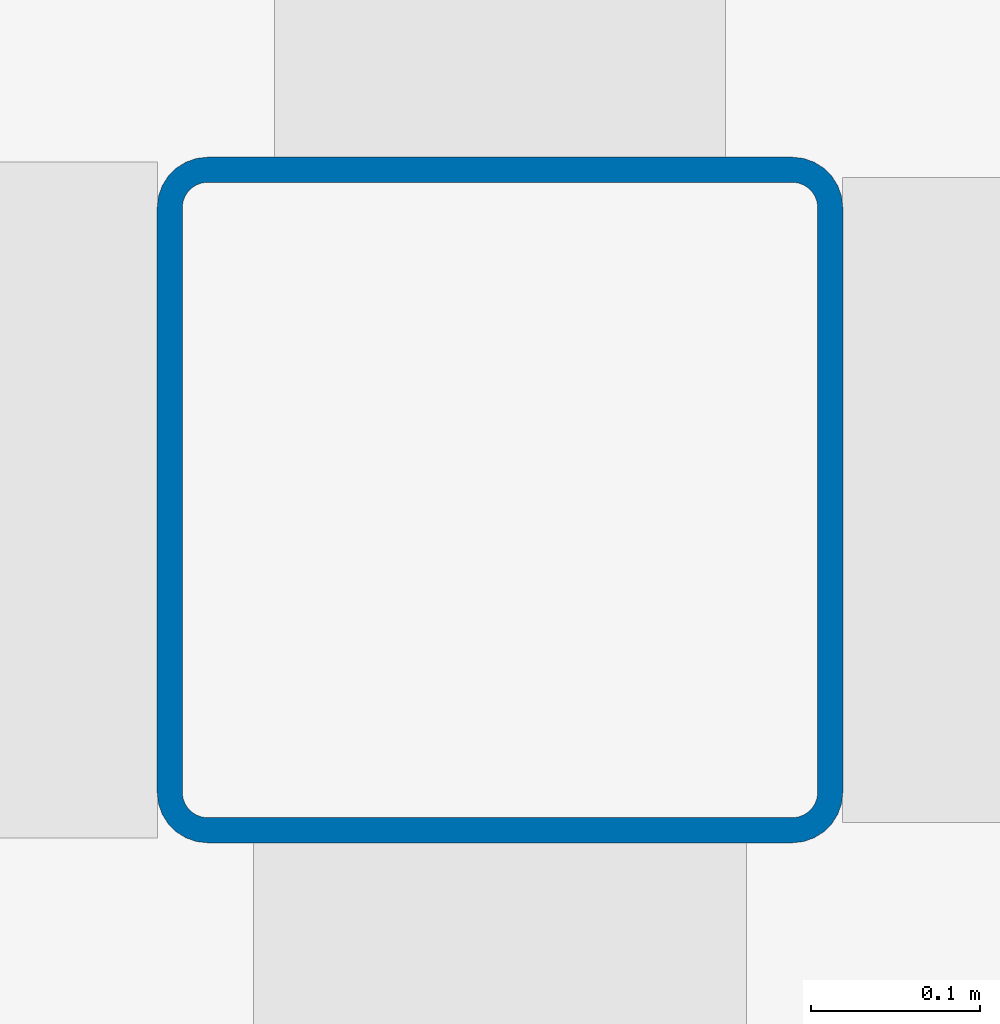
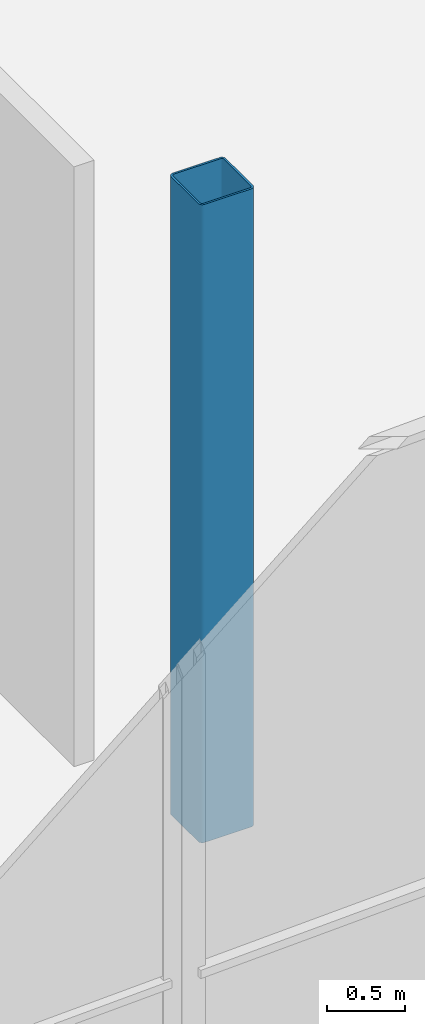
# One storey, part 2 of 88: 1 column.
"""IFC4 building model written with IfcOpenShell, lengths in metres."""

import ifcopenshell
import ifcopenshell.guid

model = None  # the IFC model being written
_history = None  # IfcOwnerHistory: only IFC2X3 demands one
_inside = {}  # id of a spatial element -> (the spatial element, [elements in it])
_under = {}  # id of a project, library or spatial element -> (it, [spatial elements below it])
_declared = {}  # id of a project -> (the project, [libraries it declares])
_typed = {}  # id of a type object -> (the type object, [elements of that type])
_made_of = {}  # id of a material, layer set ... -> (it, [elements and type objects made of it])


def new_model(schema):
    """Start an empty IFC model of exactly this schema.

    Asked for "IFC4X3", IfcOpenShell would pick the latest addendum, in which some entities
    have other attributes; the version numbers below select the first issue.
    IFC2X3 requires an IfcOwnerHistory on every rooted entity: one is made here for all.
    """
    global model, _history
    if schema == "IFC4X3":
        model = ifcopenshell.file(schema_version=(4, 3, 0, 0))
    else:
        model = ifcopenshell.file(schema=schema)
    _inside.clear()
    _under.clear()
    _declared.clear()
    _typed.clear()
    _made_of.clear()
    _history = None
    if model.schema == "IFC2X3":
        org = make("IfcOrganization", Name="unknown")
        user = make(
            "IfcPersonAndOrganization",
            ThePerson=make("IfcPerson", FamilyName="unknown"),
            TheOrganization=org,
        )
        app = make(
            "IfcApplication",
            ApplicationDeveloper=org,
            Version="unknown",
            ApplicationFullName="unknown",
            ApplicationIdentifier="unknown",
        )
        _history = make(
            "IfcOwnerHistory",
            OwningUser=user,
            OwningApplication=app,
            ChangeAction="ADDED",
            CreationDate=0,
        )
    return model


def make(cls, **values):
    """One entity of the class cls with the attributes given. An attribute that is None is left unset."""
    return model.create_entity(
        cls, **{name: value for name, value in values.items() if value is not None}
    )


def rooted(cls, **values):
    """An entity with a GlobalId (a new one), such as an element, a storey or a relation."""
    return make(cls, GlobalId=ifcopenshell.guid.new(), OwnerHistory=_history, **values)


def si_unit(unit_type, name, prefix=None):
    """IfcSIUnit, for example si_unit("LENGTHUNIT", "METRE", prefix="MILLI")."""
    return make("IfcSIUnit", UnitType=unit_type, Prefix=prefix, Name=name)


def assignment(units):
    """IfcUnitAssignment: the units of a project."""
    return None if units is None else make("IfcUnitAssignment", Units=units)


def point(xyz):
    """IfcCartesianPoint."""
    return None if xyz is None else make("IfcCartesianPoint", Coordinates=xyz)


def direction(xyz):
    """IfcDirection."""
    return None if xyz is None else make("IfcDirection", DirectionRatios=xyz)


def frame(location, z_axis=None, x_axis=None):
    """IfcAxis2Placement3D, a coordinate frame: its origin and axes. An axis left out is left unset."""
    return make(
        "IfcAxis2Placement3D",
        Location=point(location),
        Axis=direction(z_axis),
        RefDirection=direction(x_axis),
    )


def frame_2d(location, x_axis=None):
    """IfcAxis2Placement2D, a coordinate frame in the plane: its origin and x axis."""
    return make(
        "IfcAxis2Placement2D", Location=point(location), RefDirection=direction(x_axis)
    )


def origin():
    """The frame at (0, 0, 0) with its axes left unset."""
    return frame((0.0, 0.0, 0.0))


def origin_2d():
    """The frame at (0, 0) in the plane with its x axis left unset."""
    return frame_2d((0.0, 0.0))


def place(relative_to, where):
    """IfcLocalPlacement: puts the frame where relative to a parent placement (None: the world)."""
    return make(
        "IfcLocalPlacement", PlacementRelTo=relative_to, RelativePlacement=where
    )


def context(
    kind, dimensions, precision=None, world=None, true_north=None, identifier=None
):
    """IfcGeometricRepresentationContext, for example the 3D "Model" context."""
    return make(
        "IfcGeometricRepresentationContext",
        ContextIdentifier=identifier,
        ContextType=kind,
        CoordinateSpaceDimension=dimensions,
        Precision=precision,
        WorldCoordinateSystem=world,
        TrueNorth=true_north,
    )


def subcontext(parent, identifier, kind, view, scale=None):
    """IfcGeometricRepresentationSubContext, for example "Body" below "Model"."""
    return make(
        "IfcGeometricRepresentationSubContext",
        ContextIdentifier=identifier,
        ContextType=kind,
        ParentContext=parent,
        TargetScale=scale,
        TargetView=view,
    )


def project(units=None, contexts=None):
    """IfcProject with its units and contexts."""
    return rooted(
        "IfcProject",
        Name="project",
        RepresentationContexts=contexts,
        UnitsInContext=assignment(units),
    )


def spatial(cls, under=None, at=None, **own):
    """A site, building, storey or space (cls), placed at a placement, below another one or the project."""
    s = rooted(cls, ObjectPlacement=at, **own)
    if under is not None:
        _under.setdefault(under.id(), (under, []))[1].append(s)
    return s


def profile(cls, at=None, kind="AREA", **sizes):
    """A parametric profile (cls). Its sizes go by their IFC names, for example OverallWidth=200.0."""
    return make(cls, ProfileType=kind, Position=at, **sizes)


def hollow_rectangle(**sizes):
    """IfcRectangleHollowProfileDef."""
    return profile("IfcRectangleHollowProfileDef", **sizes)


def extrude(swept, where, along, depth):
    """IfcExtrudedAreaSolid: the profile swept, set in the frame where, extruded along a direction by depth."""
    return make(
        "IfcExtrudedAreaSolid",
        SweptArea=swept,
        Position=where,
        ExtrudedDirection=direction(along),
        Depth=depth,
    )


def shape(context_of_items, identifier, shape_type, items):
    """IfcShapeRepresentation: the items that make up one representation, for example the "Body"."""
    return make(
        "IfcShapeRepresentation",
        ContextOfItems=context_of_items,
        RepresentationIdentifier=identifier,
        RepresentationType=shape_type,
        Items=items,
    )


def material(Name=None, Category=None):
    """IfcMaterial."""
    return make("IfcMaterial", Name=Name, Category=Category)


def material_profile(
    of_material, cross_section, Name=None, Category=None, Priority=None
):
    """IfcMaterialProfile: a cross section and its material."""
    return make(
        "IfcMaterialProfile",
        Name=Name,
        Material=of_material,
        Profile=cross_section,
        Priority=Priority,
        Category=Category,
    )


def profile_set(profiles, Name=None, composite=None):
    """IfcMaterialProfileSet."""
    return make(
        "IfcMaterialProfileSet",
        Name=Name,
        MaterialProfiles=profiles,
        CompositeProfile=composite,
    )


def made_of(thing, what):
    """Note that an element or type object is made of a material, layer set ...; save() writes the relation."""
    if what is not None:
        _made_of.setdefault(what.id(), (what, []))[1].append(thing)
    return thing


def type_object(cls, material=None, **own):
    """A type object (cls), such as IfcWallType, which elements share."""
    return made_of(rooted(cls, **own), material)


def element(
    cls,
    number,
    at=None,
    inside=None,
    cuts=None,
    type_object=None,
    material=None,
    context=None,
    identifier="Body",
    shape_type=None,
    held_by="IfcProductDefinitionShape",
    body=None,
    shapes=None,
    **own,
):
    """One element of the class cls, such as IfcWall. Its Tag is "e" and its number.

    at: its placement. inside: the storey or other place that contains it. cuts: it is an
    opening in that element (IfcRelVoidsElement). A single representation is given by context,
    identifier, shape_type and body (its items); several are given by shapes. held_by: the class
    of the entity that holds the representations. save() writes the other relations.
    """
    e = rooted(cls, Tag="e%d" % number, ObjectPlacement=at, **own)
    if body is not None:
        shapes = [shape(context, identifier, shape_type, body)]
    if shapes is not None:
        e.Representation = make(held_by, Representations=shapes)
    if inside is not None:
        _inside.setdefault(inside.id(), (inside, []))[1].append(e)
    if cuts is not None:
        rooted(
            "IfcRelVoidsElement", RelatingBuildingElement=cuts, RelatedOpeningElement=e
        )
    if type_object is not None:
        _typed.setdefault(type_object.id(), (type_object, []))[1].append(e)
    return made_of(e, material)


def aggregate(whole, parts):
    """IfcRelAggregates: a whole, such as a stair, and the parts it consists of."""
    return rooted("IfcRelAggregates", RelatingObject=whole, RelatedObjects=parts)


def save(model, path):
    """Write the relations noted so far, then the file.

    IfcRelAggregates (storeys below a building ...), IfcRelContainedInSpatialStructure (elements
    in a storey), IfcRelDefinesByType, IfcRelAssociatesMaterial and IfcRelDeclares: one each for
    every whole, place, type object, material and project.
    """
    for whole, parts in _under.values():
        aggregate(whole, parts)
    for where, things in _inside.values():
        rooted(
            "IfcRelContainedInSpatialStructure",
            RelatedElements=things,
            RelatingStructure=where,
        )
    for kind, things in _typed.values():
        rooted("IfcRelDefinesByType", RelatedObjects=things, RelatingType=kind)
    for what, things in _made_of.values():
        rooted("IfcRelAssociatesMaterial", RelatedObjects=things, RelatingMaterial=what)
    for by, libraries in _declared.values():
        rooted("IfcRelDeclares", RelatingContext=by, RelatedDefinitions=libraries)
    model.write(path)


model = new_model("IFC4")

# Units and contexts
model_context = context("Model", 3, precision=1e-05, world=origin(), true_north=direction((0.0, 1.0)))
body_context = subcontext(model_context, "Body", "Model", "MODEL_VIEW")
ifc_project = project(units=[si_unit("LENGTHUNIT", "METRE"), si_unit("AREAUNIT", "SQUARE_METRE"), si_unit("VOLUMEUNIT", "CUBIC_METRE"), si_unit("PLANEANGLEUNIT", "RADIAN"), si_unit("MASSUNIT", "GRAM", prefix="KILO")], contexts=[model_context])

# Site, building, storey
site_placement = place(None, origin())
site = spatial("IfcSite", under=ifc_project, at=site_placement, CompositionType="ELEMENT")
building_placement = place(site_placement, origin())
building = spatial("IfcBuilding", under=site, at=building_placement, Name="Trimount Lyric Opera House", CompositionType="ELEMENT")
storey_placement = place(building_placement, origin())
storey = spatial("IfcBuildingStorey", under=building, at=storey_placement, Name="L00", CompositionType="ELEMENT", Elevation=0.0)

# Column
ifc_material = material(Name="Steel ASTM A500 Grade C", Category="steel")
ifc_material_profile = material_profile(ifc_material, hollow_rectangle(XDim=0.406494140625, YDim=0.406494140625, WallThickness=0.014892578125, InnerFilletRadius=0.01513671875, OuterFilletRadius=0.030029296875, at=origin_2d()), Name="HSS406.4X406.4X15.9")
ifc_profile_set = profile_set([ifc_material_profile], Name="Steel ASTM A500 Grade C")
column_type = type_object("IfcColumnType", Name="C-07", PredefinedType="COLUMN", material=ifc_profile_set)
column_placement = place(storey_placement, frame((54.0, 26.0, 0.0), z_axis=(0.0, 0.0, 1.0), x_axis=(1.0, 0.0, 0.0)))
element("IfcColumn", 1, at=column_placement, inside=storey, type_object=column_type, Name="L00 column 7/D", PredefinedType="COLUMN", context=body_context, shape_type="SweptSolid", body=[
    extrude(hollow_rectangle(XDim=0.406494140625, YDim=0.406494140625, WallThickness=0.014892578125, InnerFilletRadius=0.01513671875, OuterFilletRadius=0.030029296875, at=origin_2d()), origin(), (0.0, 0.0, 1.0), 5.0),
])

save(model, "model.ifc")
